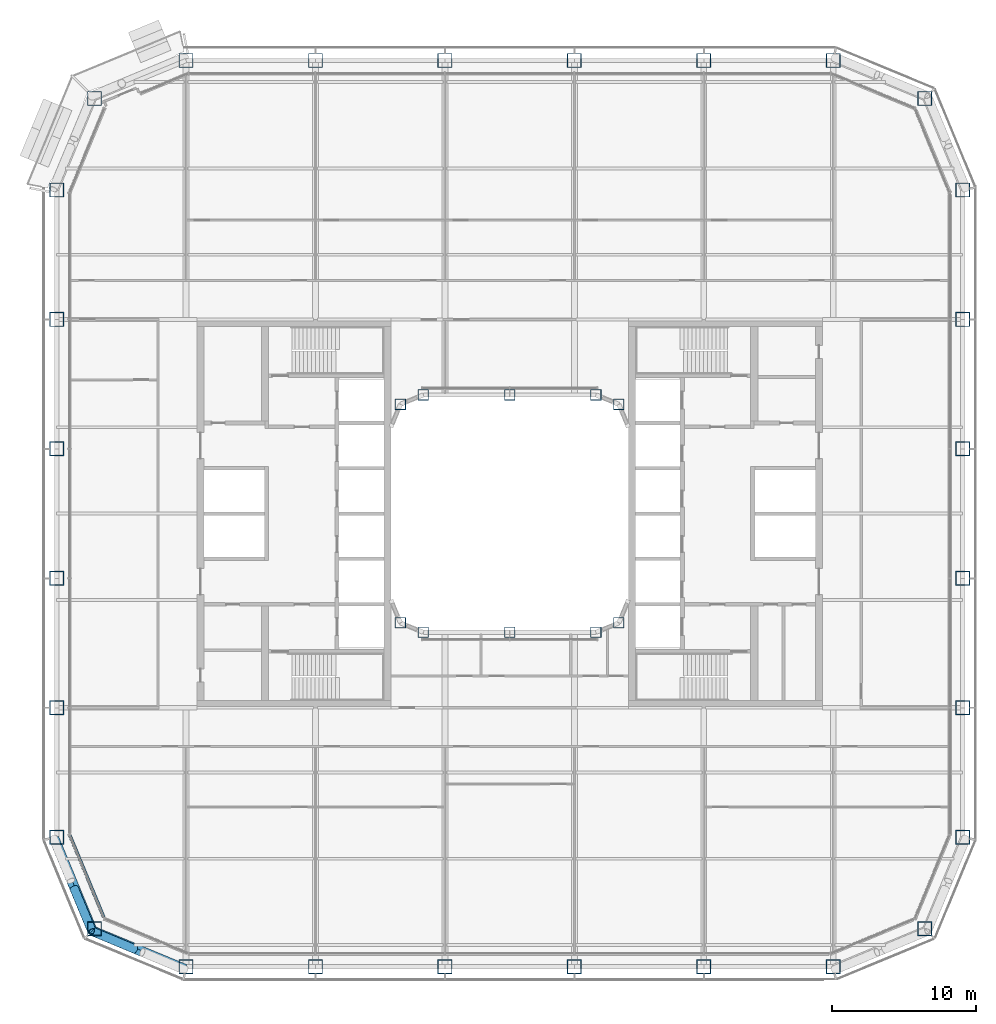
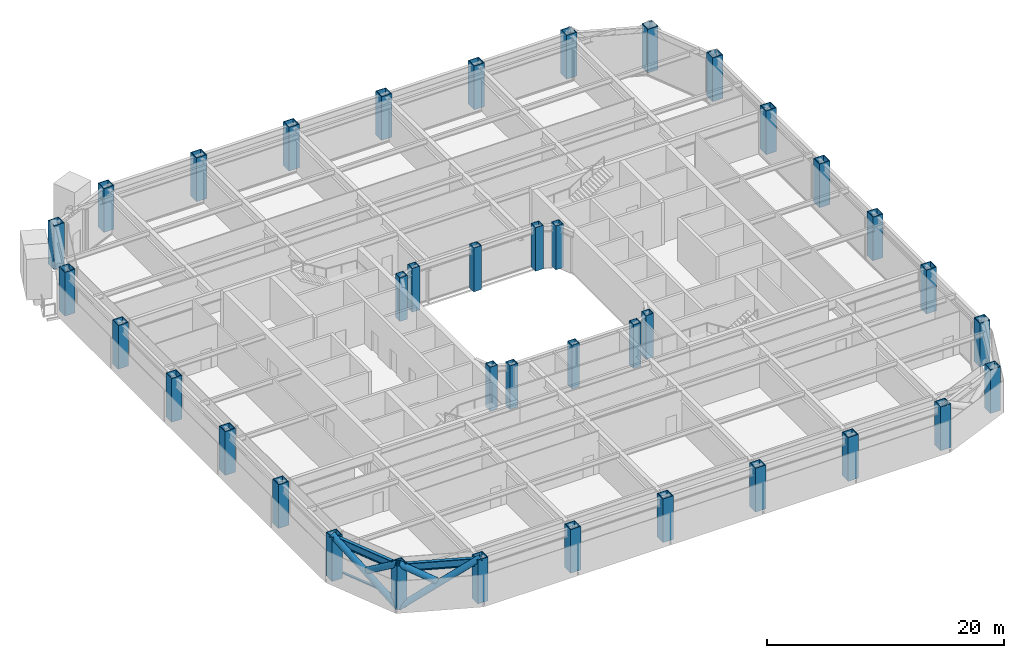
# One storey, part 1 of 29: 38 columns, 5 members, 2 beams, 1 element without a shape of its own.
"""IFC4 building model written with IfcOpenShell, lengths in metres."""

from ifc_helpers import new_model, si_unit, direction, frame, origin, origin_2d, place, context, subcontext, project, spatial, rectangle, hollow_rectangle, hollow_circle, i_section, extrude, material, layer, layer_set, material_profile, profile_set, type_object, element, aggregate, save


model = new_model("IFC4")

# Units and contexts
model_context = context("Model", 3, precision=1e-05, world=origin(), true_north=direction((0.0, 1.0)))
body_context = subcontext(model_context, "Body", "Model", "MODEL_VIEW")
ifc_project = project(units=[si_unit("LENGTHUNIT", "METRE"), si_unit("AREAUNIT", "SQUARE_METRE"), si_unit("VOLUMEUNIT", "CUBIC_METRE"), si_unit("PLANEANGLEUNIT", "RADIAN"), si_unit("MASSUNIT", "GRAM", prefix="KILO")], contexts=[model_context])

# Site, building, storey
site_placement = place(None, origin())
site = spatial("IfcSite", under=ifc_project, at=site_placement, CompositionType="ELEMENT")
building_placement = place(site_placement, origin())
building = spatial("IfcBuilding", under=site, at=building_placement, Name="Siwar Civic Tower", CompositionType="ELEMENT")
storey_placement = place(building_placement, frame((0.0, 0.0, 67.199951171875)))
storey = spatial("IfcBuildingStorey", under=building, at=storey_placement, Name="L14", CompositionType="ELEMENT", Elevation=67.199951171875)

# Columns
ifc_material_1 = material(Name="Steel S460", Category="steel")
ifc_material_profile_1 = material_profile(ifc_material_1, hollow_rectangle(XDim=1.0, YDim=1.0, WallThickness=0.06005859375, at=origin_2d()), Name="BOX1000x1000x60")
ifc_profile_set_1 = profile_set([ifc_material_profile_1], Name="Steel S460")
column_type_1 = type_object("IfcColumnType", Name="STR-COL-BOX1000x1000x60", PredefinedType="COLUMN", material=ifc_profile_set_1)
for number, where, z_axis, x_axis, name in (
    (1, (-22.5, -31.5, 0.0), (0.0, 0.0, 1.0), (1.0, 0.0, 0.0), "L14/col/S-0"),
    (2, (-13.5, -31.5, 0.0), (0.0, 0.0, 1.0), (1.0, 0.0, 0.0), "L14/col/S-1"),
    (3, (-4.5, -31.5, 0.0), (0.0, 0.0, 1.0), (1.0, 0.0, 0.0), "L14/col/S-2"),
    (4, (4.5, -31.5, 0.0), (0.0, 0.0, 1.0), (1.0, 0.0, 0.0), "L14/col/S-3"),
    (5, (13.5, -31.5, 0.0), (0.0, 0.0, 1.0), (1.0, 0.0, 0.0), "L14/col/S-4"),
    (6, (22.5, -31.5, 0.0), (0.0, 0.0, 1.0), (1.0, 0.0, 0.0), "L14/col/SE1-0"),
    (7, (28.864013671875, -28.864013671875, 0.0), (0.0, 0.0, 1.0), (1.0, 0.0, 0.0), "L14/col/SE2-0"),
    (8, (31.5, -22.5, 0.0), (0.0, 0.0, 1.0), (1.0, 0.0, 0.0), "L14/col/E-0"),
    (9, (31.5, -13.5, 0.0), (0.0, 0.0, 1.0), (1.0, 0.0, 0.0), "L14/col/E-1"),
    (10, (31.5, -4.5, 0.0), (0.0, 0.0, 1.0), (1.0, 0.0, 0.0), "L14/col/E-2"),
    (11, (31.5, 4.5, 0.0), (0.0, 0.0, 1.0), (1.0, 0.0, 0.0), "L14/col/E-3"),
    (12, (31.5, 13.5, 0.0), (0.0, 0.0, 1.0), (1.0, 0.0, 0.0), "L14/col/E-4"),
    (13, (31.5, 22.5, 0.0), (0.0, 0.0, 1.0), (1.0, 0.0, 0.0), "L14/col/NE1-0"),
    (14, (28.864013671875, 28.864013671875, 0.0), (0.0, 0.0, 1.0), (1.0, 0.0, 0.0), "L14/col/NE2-0"),
    (15, (22.5, 31.5, 0.0), (0.0, 0.0, 1.0), (1.0, 0.0, 0.0), "L14/col/N-0"),
    (16, (13.5, 31.5, 0.0), (0.0, 0.0, 1.0), (1.0, 0.0, 0.0), "L14/col/N-1"),
    (17, (4.5, 31.5, 0.0), (0.0, 0.0, 1.0), (1.0, 0.0, 0.0), "L14/col/N-2"),
    (18, (-4.5, 31.5, 0.0), (0.0, 0.0, 1.0), (1.0, 0.0, 0.0), "L14/col/N-3"),
    (19, (-13.5, 31.5, 0.0), (0.0, 0.0, 1.0), (1.0, 0.0, 0.0), "L14/col/N-4"),
    (20, (-22.5, 31.5, 0.0), (0.0, 0.0, 1.0), (1.0, 0.0, 0.0), "L14/col/NW1-0"),
    (21, (-28.864013671875, 28.864013671875, 0.0), (0.0, 0.0, 1.0), (1.0, 0.0, 0.0), "L14/col/NW2-0"),
    (22, (-31.5, 22.5, 0.0), (0.0, 0.0, 1.0), (1.0, 0.0, 0.0), "L14/col/W-0"),
    (23, (-31.5, 13.5, 0.0), (0.0, 0.0, 1.0), (1.0, 0.0, 0.0), "L14/col/W-1"),
    (24, (-31.5, 4.5, 0.0), (0.0, 0.0, 1.0), (1.0, 0.0, 0.0), "L14/col/W-2"),
    (25, (-31.5, -4.5, 0.0), (0.0, 0.0, 1.0), (1.0, 0.0, 0.0), "L14/col/W-3"),
    (26, (-31.5, -13.5, 0.0), (0.0, 0.0, 1.0), (1.0, 0.0, 0.0), "L14/col/W-4"),
    (27, (-31.5, -22.5, 0.0), (0.0, 0.0, 1.0), (1.0, 0.0, 0.0), "L14/col/SW1-0"),
    (28, (-28.864013671875, -28.864013671875, 0.0), (0.0, 0.0, 1.0), (1.0, 0.0, 0.0), "L14/col/SW2-0"),
):
    element("IfcColumn", number, at=place(storey_placement, frame(where, z_axis=z_axis, x_axis=x_axis)), inside=storey, type_object=column_type_1, Name=name, PredefinedType="COLUMN", context=body_context, shape_type="SweptSolid", body=[
        extrude(hollow_rectangle(XDim=1.0, YDim=1.0, WallThickness=0.06005859375, at=origin_2d()), origin(), (0.0, 0.0, 1.0), 4.5),
    ])
ifc_material_2 = material(Name="Steel S355", Category="steel")
ifc_material_profile_2 = material_profile(ifc_material_2, hollow_rectangle(XDim=0.75, YDim=0.75, WallThickness=0.044921875, at=origin_2d()), Name="BOX750x750x45")
ifc_profile_set_2 = profile_set([ifc_material_profile_2], Name="Steel S355")
column_type_2 = type_object("IfcColumnType", Name="STR-ICOL-BOX750x750x45", PredefinedType="COLUMN", material=ifc_profile_set_2)
for number, where, z_axis, x_axis, name in (
    (29, (-7.591064453125, -7.591064453125, 0.0), (0.0, 0.0, 1.0), (1.0, 0.0, 0.0), "L14/col/IS-0"),
    (30, (-6.0, -8.25, 0.0), (0.0, 0.0, 1.0), (1.0, 0.0, 0.0), "L14/col/IS-1"),
    (31, (0.0, -8.25, 0.0), (0.0, 0.0, 1.0), (1.0, 0.0, 0.0), "L14/col/IS-2"),
    (32, (6.0, -8.25, 0.0), (0.0, 0.0, 1.0), (1.0, 0.0, 0.0), "L14/col/IS-3"),
    (33, (7.591064453125, -7.591064453125, 0.0), (0.0, 0.0, 1.0), (1.0, 0.0, 0.0), "L14/col/IS-4"),
    (34, (-7.591064453125, 7.591064453125, 0.0), (0.0, 0.0, 1.0), (1.0, 0.0, 0.0), "L14/col/IN-0"),
    (35, (-6.0, 8.25, 0.0), (0.0, 0.0, 1.0), (1.0, 0.0, 0.0), "L14/col/IN-1"),
    (36, (0.0, 8.25, 0.0), (0.0, 0.0, 1.0), (1.0, 0.0, 0.0), "L14/col/IN-2"),
    (37, (6.0, 8.25, 0.0), (0.0, 0.0, 1.0), (1.0, 0.0, 0.0), "L14/col/IN-3"),
    (38, (7.591064453125, 7.591064453125, 0.0), (0.0, 0.0, 1.0), (1.0, 0.0, 0.0), "L14/col/IN-4"),
):
    element("IfcColumn", number, at=place(storey_placement, frame(where, z_axis=z_axis, x_axis=x_axis)), inside=storey, type_object=column_type_2, Name=name, PredefinedType="COLUMN", context=body_context, shape_type="SweptSolid", body=[
        extrude(hollow_rectangle(XDim=0.75, YDim=0.75, WallThickness=0.044921875, at=origin_2d()), origin(), (0.0, 0.0, 1.0), 4.5),
    ])

# Curtain wall, member
ifc_material_3 = material(Name="Aluminium clad insulated panel", Category="aluminium")
ifc_layer = layer(ifc_material_3, 0.219970703125)
ifc_layer_set = layer_set([ifc_layer], Name="Aluminium clad insulated panel")
curtain_wall_type = type_object("IfcCurtainWallType", Name="ENV-CW-AX", PredefinedType="NOTDEFINED", material=ifc_layer_set)
curtain_wall_placement = place(storey_placement, origin())
curtain_wall = element("IfcCurtainWall", 39, at=curtain_wall_placement, inside=storey, type_object=curtain_wall_type, Name="Curtain wall A SW1", PredefinedType="NOTDEFINED")
ifc_material_4 = material(Name="Aluminium 6063-T6", Category="aluminium")
ifc_material_profile_3 = material_profile(ifc_material_4, rectangle(XDim=0.219970703125, YDim=0.1201171875, at=origin_2d()), Name="AL 220x120")
ifc_profile_set_3 = profile_set([ifc_material_profile_3], Name="Aluminium 6063-T6")
member_type_1 = type_object("IfcMemberType", Name="ENV-TRANSOM-A", PredefinedType="USERDEFINED", material=ifc_profile_set_3)
member_1_placement = place(storey_placement, frame((-30.586669921875, -22.353271484375, 0.06005859375), z_axis=(0.382698415042, -0.923873326341, 0.0), x_axis=(0.923873326341, 0.382698415042, 0.0)))
member_1 = element("IfcMember", 40, at=member_1_placement, type_object=member_type_1, Name="Transom A SW1 1", ObjectType="TRANSOM", PredefinedType="USERDEFINED", context=body_context, shape_type="SweptSolid", body=[
    extrude(rectangle(XDim=0.219970703125, YDim=0.1201171875, at=origin_2d()), origin(), (0.0, 0.0, 1.0), 6.17919921875),
])
aggregate(curtain_wall, [member_1])

# Members
ifc_material_5 = material(Name="Steel S355", Category="steel")
ifc_material_profile_4 = material_profile(ifc_material_5, hollow_circle(Radius=0.304931640625, WallThickness=0.030029296875, at=origin_2d()), Name="CHS610x30")
ifc_profile_set_4 = profile_set([ifc_material_profile_4], Name="Steel S355")
member_type_2 = type_object("IfcMemberType", Name="STR-BR-CHS610x30", PredefinedType="BRACE", material=ifc_profile_set_4)
member_2_placement = place(storey_placement, frame((-29.040771484375, -29.040771484375, 0.0), z_axis=(0.777554562952, -0.323905527954, 0.538975055633), x_axis=(0.384538969033, 0.923108759191, 0.0)))
element("IfcMember", 41, at=member_2_placement, inside=storey, type_object=member_type_2, Name="L14/brc/ASW1-13-0-1", PredefinedType="BRACE", context=body_context, shape_type="SweptSolid", body=[
    extrude(hollow_circle(Radius=0.304931640625, WallThickness=0.030029296875, at=origin_2d()), origin(), (0.0, 0.0, 1.0), 8.34912109375),
])
member_3_placement = place(storey_placement, frame((-26.052001953125, -30.285888671875, 2.428466796875), z_axis=(-0.777568797048, 0.323934068367, 0.538937366685), x_axis=(-0.384561842466, -0.923099230484, 0.0)))
element("IfcMember", 42, at=member_3_placement, inside=storey, type_object=member_type_2, Name="L14/brc/ASW1-13-0-3", PredefinedType="BRACE", context=body_context, shape_type="SweptSolid", body=[
    extrude(hollow_circle(Radius=0.304931640625, WallThickness=0.030029296875, at=origin_2d()), origin(), (0.0, 0.0, 1.0), 3.84375),
])
member_4_placement = place(storey_placement, frame((-29.040771484375, -29.040771484375, 0.0), z_axis=(-0.323905527954, 0.777554562952, 0.538975055633), x_axis=(-0.923108759191, -0.384538969033, 0.0)))
element("IfcMember", 43, at=member_4_placement, inside=storey, type_object=member_type_2, Name="L14/brc/ASW1-13-0-0", PredefinedType="BRACE", context=body_context, shape_type="SweptSolid", body=[
    extrude(hollow_circle(Radius=0.304931640625, WallThickness=0.030029296875, at=origin_2d()), origin(), (0.0, 0.0, 1.0), 8.34912109375),
])
member_5_placement = place(storey_placement, frame((-30.285888671875, -26.052001953125, 2.428466796875), z_axis=(0.323934068367, -0.777568797048, 0.538937366685), x_axis=(0.923099230484, 0.384561842466, 0.0)))
element("IfcMember", 44, at=member_5_placement, inside=storey, type_object=member_type_2, Name="L14/brc/ASW1-13-0-5", PredefinedType="BRACE", context=body_context, shape_type="SweptSolid", body=[
    extrude(hollow_circle(Radius=0.304931640625, WallThickness=0.030029296875, at=origin_2d()), origin(), (0.0, 0.0, 1.0), 3.84375),
])

# Beams
ifc_material_6 = material(Name="Steel S355", Category="steel")
ifc_material_profile_5 = material_profile(ifc_material_6, i_section(OverallWidth=0.302978515625, OverallDepth=0.81396484375, WebThickness=0.02099609375, FlangeThickness=0.0400390625, FilletRadius=0.030029296875, at=origin_2d()), Name="HEM800")
ifc_profile_set_5 = profile_set([ifc_material_profile_5], Name="Steel S355")
beam_type = type_object("IfcBeamType", Name="STR-SB-HEM800", PredefinedType="BEAM", material=ifc_profile_set_5)
for number, where, z_axis, x_axis, name in (
    (45, (-31.5, -22.5, 3.943115234375), (0.382674207535, -0.923883353507, 0.0), (0.923883353507, 0.382674207535, 0.0), "L14/bm/SSW1-0"),
    (46, (-28.864013671875, -28.864013671875, 3.943115234375), (0.923883353507, -0.382674207535, 0.0), (0.382674207535, 0.923883353507, 0.0), "L14/bm/SSW2-0"),
):
    element("IfcBeam", number, at=place(storey_placement, frame(where, z_axis=z_axis, x_axis=x_axis)), inside=storey, type_object=beam_type, Name=name, PredefinedType="BEAM", context=body_context, shape_type="SweptSolid", body=[
        extrude(i_section(OverallWidth=0.302978515625, OverallDepth=0.81396484375, WebThickness=0.02099609375, FlangeThickness=0.0400390625, FilletRadius=0.030029296875, at=origin_2d()), origin(), (0.0, 0.0, 1.0), 6.888427734375),
    ])

save(model, "model.ifc")
